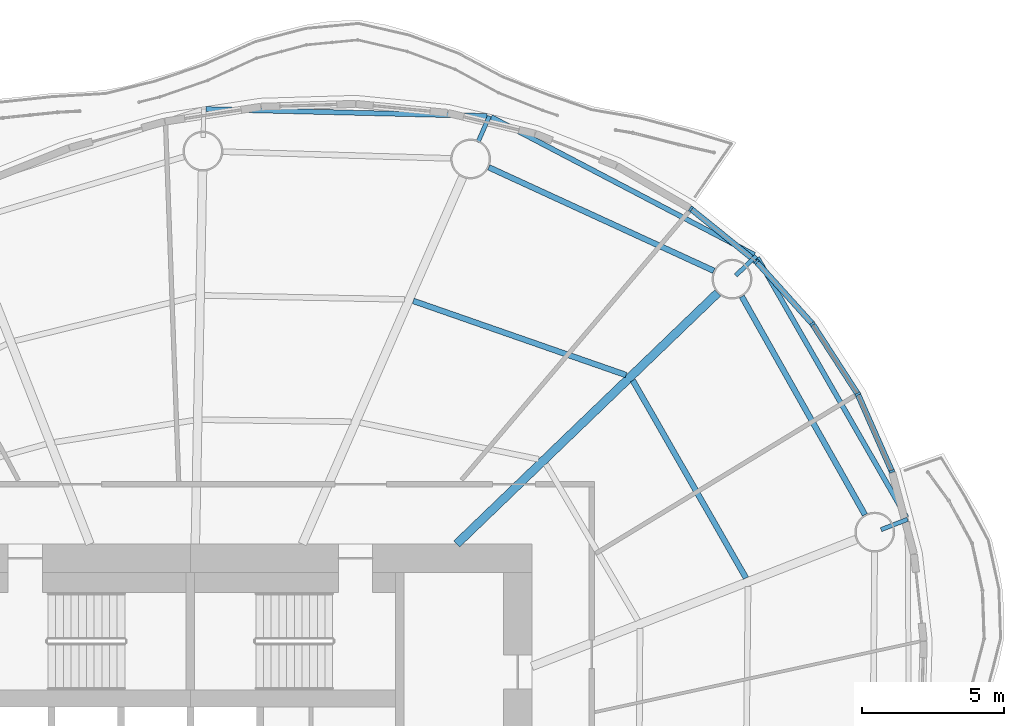
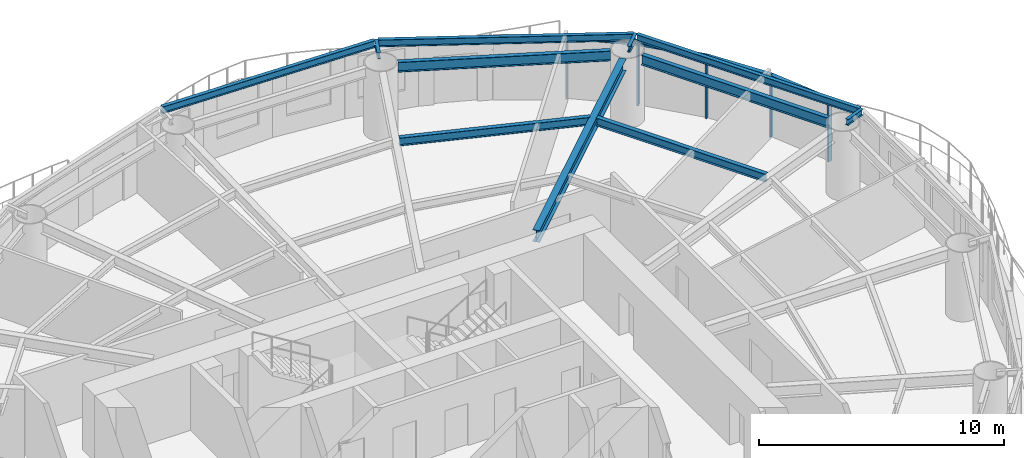
# One storey, part 6 of 15: 11 beams, 9 members, 4 elements without a shape of their own.
"""IFC4 building model written with IfcOpenShell, lengths in metres."""

import ifcopenshell
import ifcopenshell.guid

model = None  # the IFC model being written
_history = None  # IfcOwnerHistory: only IFC2X3 demands one
_inside = {}  # id of a spatial element -> (the spatial element, [elements in it])
_under = {}  # id of a project, library or spatial element -> (it, [spatial elements below it])
_declared = {}  # id of a project -> (the project, [libraries it declares])
_typed = {}  # id of a type object -> (the type object, [elements of that type])
_made_of = {}  # id of a material, layer set ... -> (it, [elements and type objects made of it])


def new_model(schema):
    """Start an empty IFC model of exactly this schema.

    Asked for "IFC4X3", IfcOpenShell would pick the latest addendum, in which some entities
    have other attributes; the version numbers below select the first issue.
    IFC2X3 requires an IfcOwnerHistory on every rooted entity: one is made here for all.
    """
    global model, _history
    if schema == "IFC4X3":
        model = ifcopenshell.file(schema_version=(4, 3, 0, 0))
    else:
        model = ifcopenshell.file(schema=schema)
    _inside.clear()
    _under.clear()
    _declared.clear()
    _typed.clear()
    _made_of.clear()
    _history = None
    if model.schema == "IFC2X3":
        org = make("IfcOrganization", Name="unknown")
        user = make(
            "IfcPersonAndOrganization",
            ThePerson=make("IfcPerson", FamilyName="unknown"),
            TheOrganization=org,
        )
        app = make(
            "IfcApplication",
            ApplicationDeveloper=org,
            Version="unknown",
            ApplicationFullName="unknown",
            ApplicationIdentifier="unknown",
        )
        _history = make(
            "IfcOwnerHistory",
            OwningUser=user,
            OwningApplication=app,
            ChangeAction="ADDED",
            CreationDate=0,
        )
    return model


def make(cls, **values):
    """One entity of the class cls with the attributes given. An attribute that is None is left unset."""
    return model.create_entity(
        cls, **{name: value for name, value in values.items() if value is not None}
    )


def rooted(cls, **values):
    """An entity with a GlobalId (a new one), such as an element, a storey or a relation."""
    return make(cls, GlobalId=ifcopenshell.guid.new(), OwnerHistory=_history, **values)


def si_unit(unit_type, name, prefix=None):
    """IfcSIUnit, for example si_unit("LENGTHUNIT", "METRE", prefix="MILLI")."""
    return make("IfcSIUnit", UnitType=unit_type, Prefix=prefix, Name=name)


def assignment(units):
    """IfcUnitAssignment: the units of a project."""
    return None if units is None else make("IfcUnitAssignment", Units=units)


def point(xyz):
    """IfcCartesianPoint."""
    return None if xyz is None else make("IfcCartesianPoint", Coordinates=xyz)


def direction(xyz):
    """IfcDirection."""
    return None if xyz is None else make("IfcDirection", DirectionRatios=xyz)


def frame(location, z_axis=None, x_axis=None):
    """IfcAxis2Placement3D, a coordinate frame: its origin and axes. An axis left out is left unset."""
    return make(
        "IfcAxis2Placement3D",
        Location=point(location),
        Axis=direction(z_axis),
        RefDirection=direction(x_axis),
    )


def frame_2d(location, x_axis=None):
    """IfcAxis2Placement2D, a coordinate frame in the plane: its origin and x axis."""
    return make(
        "IfcAxis2Placement2D", Location=point(location), RefDirection=direction(x_axis)
    )


def origin():
    """The frame at (0, 0, 0) with its axes left unset."""
    return frame((0.0, 0.0, 0.0))


def origin_2d():
    """The frame at (0, 0) in the plane with its x axis left unset."""
    return frame_2d((0.0, 0.0))


def place(relative_to, where):
    """IfcLocalPlacement: puts the frame where relative to a parent placement (None: the world)."""
    return make(
        "IfcLocalPlacement", PlacementRelTo=relative_to, RelativePlacement=where
    )


def context(
    kind, dimensions, precision=None, world=None, true_north=None, identifier=None
):
    """IfcGeometricRepresentationContext, for example the 3D "Model" context."""
    return make(
        "IfcGeometricRepresentationContext",
        ContextIdentifier=identifier,
        ContextType=kind,
        CoordinateSpaceDimension=dimensions,
        Precision=precision,
        WorldCoordinateSystem=world,
        TrueNorth=true_north,
    )


def subcontext(parent, identifier, kind, view, scale=None):
    """IfcGeometricRepresentationSubContext, for example "Body" below "Model"."""
    return make(
        "IfcGeometricRepresentationSubContext",
        ContextIdentifier=identifier,
        ContextType=kind,
        ParentContext=parent,
        TargetScale=scale,
        TargetView=view,
    )


def project(units=None, contexts=None):
    """IfcProject with its units and contexts."""
    return rooted(
        "IfcProject",
        Name="project",
        RepresentationContexts=contexts,
        UnitsInContext=assignment(units),
    )


def spatial(cls, under=None, at=None, **own):
    """A site, building, storey or space (cls), placed at a placement, below another one or the project."""
    s = rooted(cls, ObjectPlacement=at, **own)
    if under is not None:
        _under.setdefault(under.id(), (under, []))[1].append(s)
    return s


def profile(cls, at=None, kind="AREA", **sizes):
    """A parametric profile (cls). Its sizes go by their IFC names, for example OverallWidth=200.0."""
    return make(cls, ProfileType=kind, Position=at, **sizes)


def rectangle(**sizes):
    """IfcRectangleProfileDef."""
    return profile("IfcRectangleProfileDef", **sizes)


def i_section(**sizes):
    """IfcIShapeProfileDef."""
    return profile("IfcIShapeProfileDef", **sizes)


def extrude(swept, where, along, depth):
    """IfcExtrudedAreaSolid: the profile swept, set in the frame where, extruded along a direction by depth."""
    return make(
        "IfcExtrudedAreaSolid",
        SweptArea=swept,
        Position=where,
        ExtrudedDirection=direction(along),
        Depth=depth,
    )


def shape(context_of_items, identifier, shape_type, items):
    """IfcShapeRepresentation: the items that make up one representation, for example the "Body"."""
    return make(
        "IfcShapeRepresentation",
        ContextOfItems=context_of_items,
        RepresentationIdentifier=identifier,
        RepresentationType=shape_type,
        Items=items,
    )


def material(Name=None, Category=None):
    """IfcMaterial."""
    return make("IfcMaterial", Name=Name, Category=Category)


def material_profile(
    of_material, cross_section, Name=None, Category=None, Priority=None
):
    """IfcMaterialProfile: a cross section and its material."""
    return make(
        "IfcMaterialProfile",
        Name=Name,
        Material=of_material,
        Profile=cross_section,
        Priority=Priority,
        Category=Category,
    )


def profile_set(profiles, Name=None, composite=None):
    """IfcMaterialProfileSet."""
    return make(
        "IfcMaterialProfileSet",
        Name=Name,
        MaterialProfiles=profiles,
        CompositeProfile=composite,
    )


def made_of(thing, what):
    """Note that an element or type object is made of a material, layer set ...; save() writes the relation."""
    if what is not None:
        _made_of.setdefault(what.id(), (what, []))[1].append(thing)
    return thing


def type_object(cls, material=None, **own):
    """A type object (cls), such as IfcWallType, which elements share."""
    return made_of(rooted(cls, **own), material)


def element(
    cls,
    number,
    at=None,
    inside=None,
    cuts=None,
    type_object=None,
    material=None,
    context=None,
    identifier="Body",
    shape_type=None,
    held_by="IfcProductDefinitionShape",
    body=None,
    shapes=None,
    **own,
):
    """One element of the class cls, such as IfcWall. Its Tag is "e" and its number.

    at: its placement. inside: the storey or other place that contains it. cuts: it is an
    opening in that element (IfcRelVoidsElement). A single representation is given by context,
    identifier, shape_type and body (its items); several are given by shapes. held_by: the class
    of the entity that holds the representations. save() writes the other relations.
    """
    e = rooted(cls, Tag="e%d" % number, ObjectPlacement=at, **own)
    if body is not None:
        shapes = [shape(context, identifier, shape_type, body)]
    if shapes is not None:
        e.Representation = make(held_by, Representations=shapes)
    if inside is not None:
        _inside.setdefault(inside.id(), (inside, []))[1].append(e)
    if cuts is not None:
        rooted(
            "IfcRelVoidsElement", RelatingBuildingElement=cuts, RelatedOpeningElement=e
        )
    if type_object is not None:
        _typed.setdefault(type_object.id(), (type_object, []))[1].append(e)
    return made_of(e, material)


def aggregate(whole, parts):
    """IfcRelAggregates: a whole, such as a stair, and the parts it consists of."""
    return rooted("IfcRelAggregates", RelatingObject=whole, RelatedObjects=parts)


def save(model, path):
    """Write the relations noted so far, then the file.

    IfcRelAggregates (storeys below a building ...), IfcRelContainedInSpatialStructure (elements
    in a storey), IfcRelDefinesByType, IfcRelAssociatesMaterial and IfcRelDeclares: one each for
    every whole, place, type object, material and project.
    """
    for whole, parts in _under.values():
        aggregate(whole, parts)
    for where, things in _inside.values():
        rooted(
            "IfcRelContainedInSpatialStructure",
            RelatedElements=things,
            RelatingStructure=where,
        )
    for kind, things in _typed.values():
        rooted("IfcRelDefinesByType", RelatedObjects=things, RelatingType=kind)
    for what, things in _made_of.values():
        rooted("IfcRelAssociatesMaterial", RelatedObjects=things, RelatingMaterial=what)
    for by, libraries in _declared.values():
        rooted("IfcRelDeclares", RelatingContext=by, RelatedDefinitions=libraries)
    model.write(path)


model = new_model("IFC4")

# Units and contexts
model_context = context("Model", 3, precision=1e-05, world=origin(), true_north=direction((0.0, 1.0)))
body_context = subcontext(model_context, "Body", "Model", "MODEL_VIEW")
ifc_project = project(units=[si_unit("LENGTHUNIT", "METRE"), si_unit("AREAUNIT", "SQUARE_METRE"), si_unit("VOLUMEUNIT", "CUBIC_METRE"), si_unit("PLANEANGLEUNIT", "RADIAN"), si_unit("MASSUNIT", "GRAM", prefix="KILO")], contexts=[model_context])

# Site, building, storey
site_placement = place(None, origin())
site = spatial("IfcSite", under=ifc_project, at=site_placement, CompositionType="ELEMENT")
building_placement = place(site_placement, origin())
building = spatial("IfcBuilding", under=site, at=building_placement, Name="Vermilion Reach Broadcast Tower", CompositionType="ELEMENT")
storey_placement = place(building_placement, frame((0.0, 0.0, 183.0)))
storey = spatial("IfcBuildingStorey", under=building, at=storey_placement, Name="L44", CompositionType="ELEMENT", Elevation=183.0)

# Beams
ifc_material_1 = material(Name="Steel S355J2", Category="steel")
ifc_material_profile_1 = material_profile(ifc_material_1, i_section(OverallWidth=0.175048828125, OverallDepth=0.35009765625, WebThickness=0.007080078125, FlangeThickness=0.010986328125, at=origin_2d()), Name="S355J2 HN 350x175x7x11")
ifc_profile_set_1 = profile_set([ifc_material_profile_1], Name="Steel S355J2")
beam_type_1 = type_object("IfcBeamType", Name="EB3 HN 350x175x7x11", PredefinedType="BEAM", material=ifc_profile_set_1)
beam_1_placement = place(storey_placement, frame((13.807861328125, 19.158935546875, 3.27490234375), z_axis=(-0.885887897056, 0.463899379014, 0.0), x_axis=(-0.463899379014, -0.885887897056, 0.0)))
element("IfcBeam", 1, at=beam_1_placement, inside=storey, type_object=beam_type_1, Name="Edge beam EB3-01", PredefinedType="BEAM", context=body_context, shape_type="SweptSolid", body=[
    extrude(i_section(OverallWidth=0.175048828125, OverallDepth=0.35009765625, WebThickness=0.007080078125, FlangeThickness=0.010986328125, at=origin_2d()), origin(), (0.0, 0.0, 1.0), 10.42724609375),
])
beam_2_placement = place(storey_placement, frame((4.4228515625, 24.032958984375, 3.27490234375), z_axis=(-0.99969711169, 0.024610665956, 0.0), x_axis=(-0.024610665956, -0.99969711169, 0.0)))
element("IfcBeam", 2, at=beam_2_placement, inside=storey, type_object=beam_type_1, Name="Edge beam EB3-02", PredefinedType="BEAM", context=body_context, shape_type="SweptSolid", body=[
    extrude(i_section(OverallWidth=0.175048828125, OverallDepth=0.35009765625, WebThickness=0.007080078125, FlangeThickness=0.010986328125, at=origin_2d()), origin(), (0.0, 0.0, 1.0), 9.88037109375),
])
beam_3_placement = place(storey_placement, frame((19.156005859375, 9.93408203125, 3.27490234375), z_axis=(-0.49809475743, 0.867122605299, 0.0), x_axis=(-0.867122605299, -0.49809475743, 0.0)))
element("IfcBeam", 3, at=beam_3_placement, inside=storey, type_object=beam_type_1, Name="Edge beam EB3-16", PredefinedType="BEAM", context=body_context, shape_type="SweptSolid", body=[
    extrude(i_section(OverallWidth=0.175048828125, OverallDepth=0.35009765625, WebThickness=0.007080078125, FlangeThickness=0.010986328125, at=origin_2d()), origin(), (0.0, 0.0, 1.0), 10.51904296875),
])
ifc_material_2 = material(Name="Steel S355J2", Category="steel")
ifc_material_profile_2 = material_profile(ifc_material_2, i_section(OverallWidth=0.300048828125, OverallDepth=0.587890625, WebThickness=0.011962890625, FlangeThickness=0.02001953125, at=origin_2d()), Name="S355J2 HM 588x300x12x20")
ifc_profile_set_2 = profile_set([ifc_material_profile_2], Name="Steel S355J2")
beam_type_2 = type_object("IfcBeamType", Name="G3 HM 588x300x12x20", PredefinedType="BEAM", material=ifc_profile_set_2)
beam_4_placement = place(storey_placement, frame((3.355712890625, 9.0, 3.156005859375), z_axis=(0.720670374476, 0.693277874559, 0.0), x_axis=(-0.693277874559, 0.720670374476, 0.0)))
element("IfcBeam", 4, at=beam_4_placement, inside=storey, type_object=beam_type_2, Name="Girder G3-01", PredefinedType="BEAM", context=body_context, shape_type="SweptSolid", body=[
    extrude(i_section(OverallWidth=0.300048828125, OverallDepth=0.587890625, WebThickness=0.011962890625, FlangeThickness=0.02001953125, at=origin_2d()), origin(), (0.0, 0.0, 1.0), 12.718505859375),
])
ifc_material_3 = material(Name="Steel S355J2", Category="steel")
ifc_material_profile_3 = material_profile(ifc_material_3, i_section(OverallWidth=0.14990234375, OverallDepth=0.300048828125, WebThickness=0.006591796875, FlangeThickness=0.009033203125, at=origin_2d()), Name="S355J2 HN 300x150x6.5x9")
ifc_profile_set_3 = profile_set([ifc_material_profile_3], Name="Steel S355J2")
beam_type_3 = type_object("IfcBeamType", Name="GS3 HN 300x150x6.5x9", PredefinedType="BEAM", material=ifc_profile_set_3)
beam_5_placement = place(storey_placement, frame((13.157470703125, 18.42919921875, 3.300048828125), z_axis=(0.72065002653, 0.693299025862, 0.0), x_axis=(-0.693299025862, 0.72065002653, 0.0)))
element("IfcBeam", 5, at=beam_5_placement, inside=storey, type_object=beam_type_3, Name="Cantilever stub GS3-01", PredefinedType="BEAM", context=body_context, shape_type="SweptSolid", body=[
    extrude(i_section(OverallWidth=0.14990234375, OverallDepth=0.300048828125, WebThickness=0.006591796875, FlangeThickness=0.009033203125, at=origin_2d()), origin(), (0.0, 0.0, 1.0), 0.999755859375),
])
for number, where, z_axis, x_axis, name in (
    (6, (4.103271484375, 23.11474609375, 3.300048828125), (0.400626718411, 0.916241361485, 0.0), (-0.916241361485, 0.400626718411, 0.0), "Cantilever stub GS3-02"),
    (7, (18.262451171875, 9.50341796875, 3.300048828125), (0.931113051526, 0.364730702407, 0.0), (-0.364730702407, 0.931113051526, 0.0), "Cantilever stub GS3-16"),
):
    element("IfcBeam", number, at=place(storey_placement, frame(where, z_axis=z_axis, x_axis=x_axis)), inside=storey, type_object=beam_type_3, Name=name, PredefinedType="BEAM", context=body_context, shape_type="SweptSolid", body=[
        extrude(i_section(OverallWidth=0.14990234375, OverallDepth=0.300048828125, WebThickness=0.006591796875, FlangeThickness=0.009033203125, at=origin_2d()), origin(), (0.0, 0.0, 1.0), 1.0),
    ])
ifc_material_4 = material(Name="Steel S355J2", Category="steel")
ifc_material_profile_4 = material_profile(ifc_material_4, i_section(OverallWidth=0.199951171875, OverallDepth=0.5, WebThickness=0.010009765625, FlangeThickness=0.01611328125, at=origin_2d()), Name="S355J2 HN 500x200x10x16")
ifc_profile_set_4 = profile_set([ifc_material_profile_4], Name="Steel S355J2")
beam_type_4 = type_object("IfcBeamType", Name="RB3 HN 500x200x10x16", PredefinedType="BEAM", material=ifc_profile_set_4)
beam_6_placement = place(storey_placement, frame((12.389892578125, 18.594970703125, 3.199951171875), z_axis=(-0.908546241769, 0.417784306272, 0.0), x_axis=(-0.417784306272, -0.908546241769, 0.0)))
element("IfcBeam", 8, at=beam_6_placement, inside=storey, type_object=beam_type_4, Name="Ring beam RB3-01", PredefinedType="BEAM", context=body_context, shape_type="SweptSolid", body=[
    extrude(i_section(OverallWidth=0.199951171875, OverallDepth=0.5, WebThickness=0.010009765625, FlangeThickness=0.01611328125, at=origin_2d()), origin(), (0.0, 0.0, 1.0), 8.704833984375),
])
beam_7_placement = place(storey_placement, frame((17.696533203125, 10.026123046875, 3.199951171875), z_axis=(-0.491466825026, 0.870896296869, 0.0), x_axis=(-0.870896296869, -0.491466825026, 0.0)))
element("IfcBeam", 9, at=beam_7_placement, inside=storey, type_object=beam_type_4, Name="Ring beam RB3-16", PredefinedType="BEAM", context=body_context, shape_type="SweptSolid", body=[
    extrude(i_section(OverallWidth=0.199951171875, OverallDepth=0.5, WebThickness=0.010009765625, FlangeThickness=0.01611328125, at=origin_2d()), origin(), (0.0, 0.0, 1.0), 8.803466796875),
])
ifc_material_5 = material(Name="Steel S355J2", Category="steel")
ifc_material_profile_5 = material_profile(ifc_material_5, i_section(OverallWidth=0.199951171875, OverallDepth=0.39990234375, WebThickness=0.008056640625, FlangeThickness=0.012939453125, at=origin_2d()), Name="S355J2 HN 400x200x8x13")
ifc_profile_set_5 = profile_set([ifc_material_profile_5], Name="Steel S355J2")
beam_type_5 = type_object("IfcBeamType", Name="SB3 HN 400x200x8x13", PredefinedType="BEAM", material=ifc_profile_set_5)
beam_8_placement = place(storey_placement, frame((9.307373046875, 14.93359375, 3.25), z_axis=(-0.94431696779, 0.329037177754, 0.0), x_axis=(-0.329037177754, -0.94431696779, 0.0)))
element("IfcBeam", 10, at=beam_8_placement, inside=storey, type_object=beam_type_5, Name="Secondary beam SB3-01-2", PredefinedType="BEAM", context=body_context, shape_type="SweptSolid", body=[
    extrude(i_section(OverallWidth=0.199951171875, OverallDepth=0.39990234375, WebThickness=0.008056640625, FlangeThickness=0.012939453125, at=origin_2d()), origin(), (0.0, 0.0, 1.0), 7.91845703125),
])
beam_9_placement = place(storey_placement, frame((13.51708984375, 7.805908203125, 3.25), z_axis=(-0.497026503115, 0.867735360119, 0.0), x_axis=(-0.867735360119, -0.497026503115, 0.0)))
element("IfcBeam", 11, at=beam_9_placement, inside=storey, type_object=beam_type_5, Name="Secondary beam SB3-16-2", PredefinedType="BEAM", context=body_context, shape_type="SweptSolid", body=[
    extrude(i_section(OverallWidth=0.199951171875, OverallDepth=0.39990234375, WebThickness=0.008056640625, FlangeThickness=0.012939453125, at=origin_2d()), origin(), (0.0, 0.0, 1.0), 7.995849609375),
])

# Curtain wall, member
ifc_material_6 = material(Name="Low-e laminated clear glass in aluminium frame", Category="aluminium")
curtain_wall_type = type_object("IfcCurtainWallType", Name="Slot curtain wall", PredefinedType="NOTDEFINED", material=ifc_material_6)
placement = place(storey_placement, origin())
curtain_wall_1 = element("IfcCurtainWall", 12, at=placement, inside=storey, type_object=curtain_wall_type, Name="Slot curtain wall L44 46", PredefinedType="NOTDEFINED")
ifc_material_7 = material(Name="Anodised aluminium", Category="aluminium")
ifc_material_profile_6 = material_profile(ifc_material_7, rectangle(XDim=0.199951171875, YDim=0.080078125, at=origin_2d()), Name="Slot mullion 80 x 200")
ifc_profile_set_6 = profile_set([ifc_material_profile_6], Name="Anodised aluminium")
member_type_1 = type_object("IfcMemberType", Name="Slot mullion 80 x 200", PredefinedType="MULLION", material=ifc_profile_set_6)
member_1_placement = place(storey_placement, frame((18.64013671875, 11.55224609375, 0.0), z_axis=(0.0, 0.0, 1.0), x_axis=(-0.943416412163, -0.331610423933, 0.0)))
member_1 = element("IfcMember", 13, at=member_1_placement, type_object=member_type_1, Name="Slot mullion L44 46", PredefinedType="MULLION", context=body_context, shape_type="SweptSolid", body=[
    extrude(rectangle(XDim=0.199951171875, YDim=0.080078125, at=origin_2d()), origin(), (0.0, 0.0, 1.0), 3.10009765625),
])

curtain_wall_2 = element("IfcCurtainWall", 14, at=placement, inside=storey, type_object=curtain_wall_type, Name="Slot curtain wall L44 47", PredefinedType="NOTDEFINED")
member_2_placement = place(storey_placement, frame((17.44482421875, 14.26318359375, 0.0), z_axis=(0.0, 0.0, 1.0), x_axis=(-0.88021980734, -0.474566213258, 0.0)))
member_2 = element("IfcMember", 15, at=member_2_placement, type_object=member_type_1, Name="Slot mullion L44 47", PredefinedType="MULLION", context=body_context, shape_type="SweptSolid", body=[
    extrude(rectangle(XDim=0.199951171875, YDim=0.080078125, at=origin_2d()), origin(), (0.0, 0.0, 1.0), 3.10009765625),
])

curtain_wall_3 = element("IfcCurtainWall", 16, at=placement, inside=storey, type_object=curtain_wall_type, Name="Slot curtain wall L44 00", PredefinedType="NOTDEFINED")
member_3_placement = place(storey_placement, frame((15.8505859375, 16.730224609375, 0.0), z_axis=(0.0, 0.0, 1.0), x_axis=(-0.793990435084, -0.607930250107, 0.0)))
member_3 = element("IfcMember", 17, at=member_3_placement, type_object=member_type_1, Name="Slot mullion L44 00", PredefinedType="MULLION", context=body_context, shape_type="SweptSolid", body=[
    extrude(rectangle(XDim=0.199951171875, YDim=0.080078125, at=origin_2d()), origin(), (0.0, 0.0, 1.0), 3.10009765625),
])

# Curtain wall, members
curtain_wall_4 = element("IfcCurtainWall", 18, at=placement, inside=storey, type_object=curtain_wall_type, Name="Slot curtain wall L44 01", PredefinedType="NOTDEFINED")
member_4_placement = place(storey_placement, frame((13.884765625, 18.91259765625, 0.0), z_axis=(0.0, 0.0, 1.0), x_axis=(-0.687735389299, -0.72596145511, 0.0)))
member_4 = element("IfcMember", 19, at=member_4_placement, type_object=member_type_1, Name="Slot mullion L44 01", PredefinedType="MULLION", context=body_context, shape_type="SweptSolid", body=[
    extrude(rectangle(XDim=0.199951171875, YDim=0.080078125, at=origin_2d()), origin(), (0.0, 0.0, 1.0), 3.10009765625),
])
member_5_placement = place(storey_placement, frame((11.57958984375, 20.773681640625, 0.0), z_axis=(0.0, 0.0, 1.0), x_axis=(-0.566212775079, -0.824259117837, 0.0)))
member_5 = element("IfcMember", 20, at=member_5_placement, type_object=member_type_1, Name="Slot mullion L44 02", PredefinedType="MULLION", context=body_context, shape_type="SweptSolid", body=[
    extrude(rectangle(XDim=0.199951171875, YDim=0.080078125, at=origin_2d()), origin(), (0.0, 0.0, 1.0), 3.10009765625),
])

# Member
ifc_material_8 = material(Name="Anodised aluminium", Category="aluminium")
ifc_material_profile_7 = material_profile(ifc_material_8, rectangle(XDim=0.199951171875, YDim=0.10009765625, at=origin_2d()), Name="Slot transom 200 x 100")
ifc_profile_set_7 = profile_set([ifc_material_profile_7], Name="Anodised aluminium")
member_type_2 = type_object("IfcMemberType", Name="Slot transom 200 x 100", PredefinedType="USERDEFINED", material=ifc_profile_set_7)
member_6_placement = place(storey_placement, frame((18.6240234375, 11.5888671875, 3.050048828125), z_axis=(-0.403465053796, 0.914995054831, 0.0), x_axis=(-0.914995054831, -0.403465053796, 0.0)))
member_6 = element("IfcMember", 21, at=member_6_placement, type_object=member_type_2, Name="Slot transom L44 46.1", ObjectType="TRANSOM", PredefinedType="USERDEFINED", context=body_context, shape_type="SweptSolid", body=[
    extrude(rectangle(XDim=0.199951171875, YDim=0.10009765625, at=origin_2d()), origin(), (0.0, 0.0, 1.0), 2.8828125),
])

aggregate(curtain_wall_1, [member_1, member_6])

member_7_placement = place(storey_placement, frame((17.423095703125, 14.296630859375, 3.050048828125), z_axis=(-0.542694985784, 0.839929849692, 0.0), x_axis=(-0.839929849692, -0.542694985784, 0.0)))
member_7 = element("IfcMember", 22, at=member_7_placement, type_object=member_type_2, Name="Slot transom L44 47.1", ObjectType="TRANSOM", PredefinedType="USERDEFINED", context=body_context, shape_type="SweptSolid", body=[
    extrude(rectangle(XDim=0.199951171875, YDim=0.10009765625, at=origin_2d()), origin(), (0.0, 0.0, 1.0), 2.857666015625),
])

aggregate(curtain_wall_2, [member_2, member_7])

member_8_placement = place(storey_placement, frame((15.823974609375, 16.760009765625, 3.050048828125), z_axis=(-0.66932340003, 0.742971187983, 0.0), x_axis=(-0.742971187983, -0.66932340003, 0.0)))
member_8 = element("IfcMember", 23, at=member_8_placement, type_object=member_type_2, Name="Slot transom L44 00.1", ObjectType="TRANSOM", PredefinedType="USERDEFINED", context=body_context, shape_type="SweptSolid", body=[
    extrude(rectangle(XDim=0.199951171875, YDim=0.10009765625, at=origin_2d()), origin(), (0.0, 0.0, 1.0), 2.857421875),
])

aggregate(curtain_wall_3, [member_3, member_8])

member_9_placement = place(storey_placement, frame((13.853515625, 18.937744140625, 3.050048828125), z_axis=(-0.778076504482, 0.628169525824, 0.0), x_axis=(-0.628169525824, -0.778076504482, 0.0)))
member_9 = element("IfcMember", 24, at=member_9_placement, type_object=member_type_2, Name="Slot transom L44 01.1", ObjectType="TRANSOM", PredefinedType="USERDEFINED", context=body_context, shape_type="SweptSolid", body=[
    extrude(rectangle(XDim=0.199951171875, YDim=0.10009765625, at=origin_2d()), origin(), (0.0, 0.0, 1.0), 2.882568359375),
])

aggregate(curtain_wall_4, [member_4, member_5, member_9])

save(model, "model.ifc")
